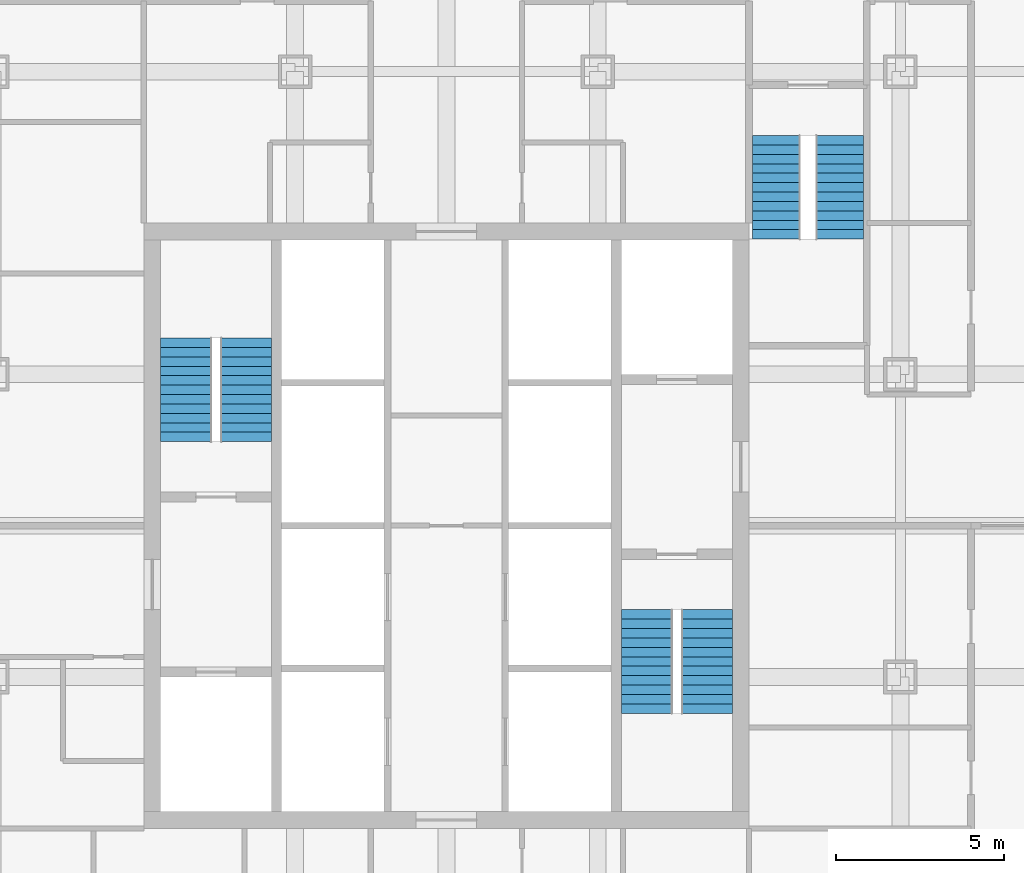
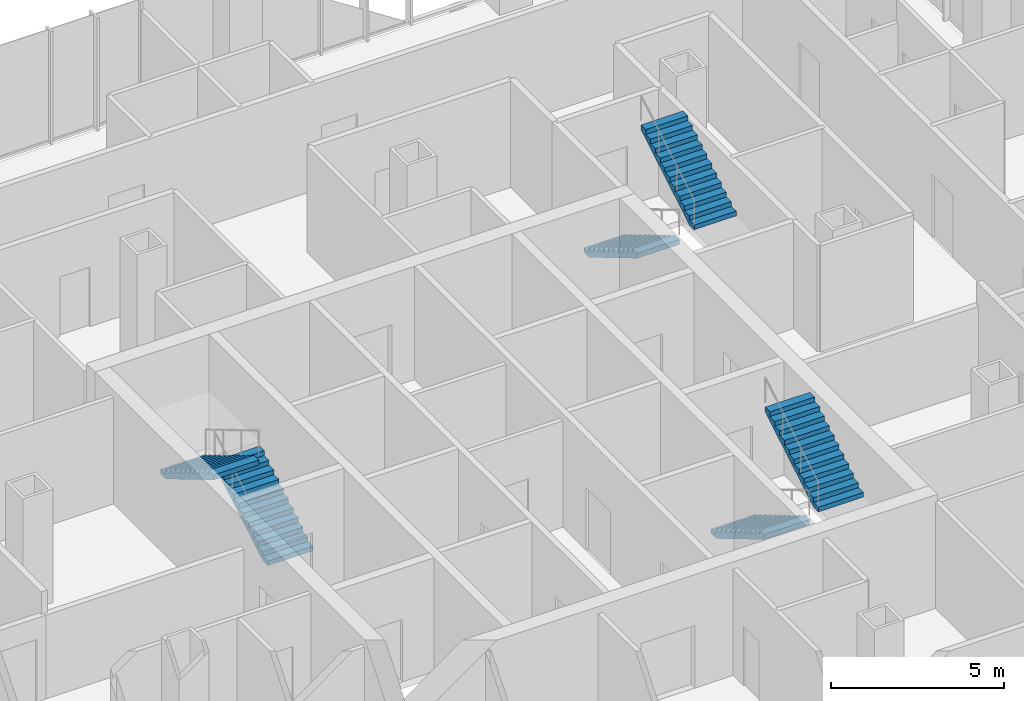
# One storey, part 13 of 14: 6 stair flights, 3 elements without a shape of their own.
"""IFC4 building model written with IfcOpenShell, lengths in metres."""

from ifc_helpers import new_model, si_unit, direction, frame, origin, place, context, subcontext, project, spatial, polyline, outline, extrude, material, type_object, element, aggregate, save


model = new_model("IFC4")

# Units and contexts
model_context = context("Model", 3, precision=1e-05, world=origin(), true_north=direction((0.0, 1.0)))
body_context = subcontext(model_context, "Body", "Model", "MODEL_VIEW")
ifc_project = project(units=[si_unit("LENGTHUNIT", "METRE"), si_unit("AREAUNIT", "SQUARE_METRE"), si_unit("VOLUMEUNIT", "CUBIC_METRE"), si_unit("PLANEANGLEUNIT", "RADIAN"), si_unit("MASSUNIT", "GRAM", prefix="KILO")], contexts=[model_context])

# Site, building, storey
site_placement = place(None, origin())
site = spatial("IfcSite", under=ifc_project, at=site_placement, CompositionType="ELEMENT")
building_placement = place(site_placement, origin())
building = spatial("IfcBuilding", under=site, at=building_placement, Name="Malebo Sky Hospital", CompositionType="ELEMENT")
storey_placement = place(building_placement, frame((0.0, 0.0, 148.0)))
storey = spatial("IfcBuildingStorey", under=building, at=storey_placement, Name="L35", CompositionType="ELEMENT", Elevation=148.0)

# Stair, stair flights
ifc_material = material(Name="Concrete C40/50", Category="concrete")
stair_type_1 = type_object("IfcStairType", Name="HALF-TURN STAIR 1400 R167", PredefinedType="HALF_TURN_STAIR", material=ifc_material)
stair_1_placement = place(storey_placement, origin())
stair_1 = element("IfcStair", 1, at=stair_1_placement, inside=storey, type_object=stair_type_1, Name="Stair S3 L35 type ST1B", PredefinedType="HALF_TURN_STAIR")
stair_flight_type_1 = type_object("IfcStairFlightType", Name="STAIR FLIGHT 1400 R167", PredefinedType="STRAIGHT", material=ifc_material)
stair_flight_1_placement = place(storey_placement, frame((69.800048828125, 73.60009765625, 0.0), z_axis=(0.0, 0.0, 1.0), x_axis=(0.0, -1.0, 0.0)))
stair_flight_1 = element("IfcStairFlight", 2, at=stair_flight_1_placement, type_object=stair_flight_type_1, Name="S3 flight 1 type SF1B", NumberOfRisers=12, NumberOfTreads=11, PredefinedType="STRAIGHT", RiserHeight=0.166666667, TreadLength=0.28, context=body_context, shape_type="SweptSolid", body=[
    extrude(outline(polyline([(0.0, 0.0), (0.0, 0.166748046875), (0.280029296875, 0.166748046875), (0.280029296875, 0.333251953125), (0.56005859375, 0.333251953125), (0.56005859375, 0.5), (0.840087890625, 0.5), (0.840087890625, 0.666748046875), (1.1201171875, 0.666748046875), (1.1201171875, 0.833251953125), (1.39990234375, 0.833251953125), (1.39990234375, 1.0), (1.679931640625, 1.0), (1.679931640625, 1.166748046875), (1.9599609375, 1.166748046875), (1.9599609375, 1.333251953125), (2.239990234375, 1.333251953125), (2.239990234375, 1.5), (2.52001953125, 1.5), (2.52001953125, 1.666748046875), (2.800048828125, 1.666748046875), (2.800048828125, 1.833251953125), (3.080078125, 1.833251953125), (3.080078125, 2.0), (3.080078125, 1.658935546875), (0.29296875, 0.0), (0.0, 0.0)])), frame((0.0, 0.699951171875, 0.0), z_axis=(0.0, -1.0, 0.0), x_axis=(1.0, 0.0, 0.0)), (0.0, 0.0, 1.0), 1.39990234375),
])
stair_flight_2_placement = place(storey_placement, frame((71.699951171875, 70.52001953125, 2.0), z_axis=(0.0, 0.0, 1.0), x_axis=(0.0, 1.0, 0.0)))
stair_flight_2 = element("IfcStairFlight", 3, at=stair_flight_2_placement, type_object=stair_flight_type_1, Name="S3 flight 2 type SF1B", NumberOfRisers=12, NumberOfTreads=11, PredefinedType="STRAIGHT", RiserHeight=0.166666667, TreadLength=0.28, context=body_context, shape_type="SweptSolid", body=[
    extrude(outline(polyline([(0.0, 0.0), (0.0, 0.166748046875), (0.280029296875, 0.166748046875), (0.280029296875, 0.333251953125), (0.56005859375, 0.333251953125), (0.56005859375, 0.5), (0.840087890625, 0.5), (0.840087890625, 0.666748046875), (1.1201171875, 0.666748046875), (1.1201171875, 0.833251953125), (1.39990234375, 0.833251953125), (1.39990234375, 1.0), (1.679931640625, 1.0), (1.679931640625, 1.166748046875), (1.9599609375, 1.166748046875), (1.9599609375, 1.333251953125), (2.239990234375, 1.333251953125), (2.239990234375, 1.5), (2.52001953125, 1.5), (2.52001953125, 1.666748046875), (2.800048828125, 1.666748046875), (2.800048828125, 1.833251953125), (3.080078125, 1.833251953125), (3.080078125, 2.0), (3.080078125, 1.658935546875), (0.29296875, 0.0), (0.0, 0.0)])), frame((0.0, 0.699951171875, 0.0), z_axis=(0.0, -1.0, 0.0), x_axis=(1.0, 0.0, 0.0)), (0.0, 0.0, 1.0), 1.39990234375),
])
aggregate(stair_1, [stair_flight_1, stair_flight_2])

stair_type_2 = type_object("IfcStairType", Name="HALF-TURN STAIR 1500 R167", PredefinedType="HALF_TURN_STAIR", material=ifc_material)
stair_2_placement = place(storey_placement, origin())
stair_2 = element("IfcStair", 4, at=stair_2_placement, inside=storey, type_object=stair_type_2, Name="Stair S1 L35 type ST1", PredefinedType="HALF_TURN_STAIR")
stair_flight_type_2 = type_object("IfcStairFlightType", Name="STAIR FLIGHT 1500 R167", PredefinedType="STRAIGHT", material=ifc_material)
stair_flight_3_placement = place(storey_placement, frame((54.050048828125, 64.5, 0.0), z_axis=(0.0, 0.0, 1.0), x_axis=(0.0, 1.0, 0.0)))
stair_flight_3 = element("IfcStairFlight", 5, at=stair_flight_3_placement, type_object=stair_flight_type_2, Name="S1 flight 1 type SF1", NumberOfRisers=12, NumberOfTreads=11, PredefinedType="STRAIGHT", RiserHeight=0.166666667, TreadLength=0.28, context=body_context, shape_type="SweptSolid", body=[
    extrude(outline(polyline([(0.0, 0.0), (0.0, 0.166748046875), (0.280029296875, 0.166748046875), (0.280029296875, 0.333251953125), (0.56005859375, 0.333251953125), (0.56005859375, 0.5), (0.840087890625, 0.5), (0.840087890625, 0.666748046875), (1.1201171875, 0.666748046875), (1.1201171875, 0.833251953125), (1.39990234375, 0.833251953125), (1.39990234375, 1.0), (1.679931640625, 1.0), (1.679931640625, 1.166748046875), (1.9599609375, 1.166748046875), (1.9599609375, 1.333251953125), (2.239990234375, 1.333251953125), (2.239990234375, 1.5), (2.52001953125, 1.5), (2.52001953125, 1.666748046875), (2.800048828125, 1.666748046875), (2.800048828125, 1.833251953125), (3.080078125, 1.833251953125), (3.080078125, 2.0), (3.080078125, 1.658935546875), (0.29296875, 0.0), (0.0, 0.0)])), frame((0.0, 0.75, 0.0), z_axis=(0.0, -1.0, 0.0), x_axis=(1.0, 0.0, 0.0)), (0.0, 0.0, 1.0), 1.5),
])
stair_flight_4_placement = place(storey_placement, frame((52.25, 67.580078125, 2.0), z_axis=(0.0, 0.0, 1.0), x_axis=(0.0, -1.0, 0.0)))
stair_flight_4 = element("IfcStairFlight", 6, at=stair_flight_4_placement, type_object=stair_flight_type_2, Name="S1 flight 2 type SF1", NumberOfRisers=12, NumberOfTreads=11, PredefinedType="STRAIGHT", RiserHeight=0.166666667, TreadLength=0.28, context=body_context, shape_type="SweptSolid", body=[
    extrude(outline(polyline([(0.0, 0.0), (0.0, 0.166748046875), (0.280029296875, 0.166748046875), (0.280029296875, 0.333251953125), (0.56005859375, 0.333251953125), (0.56005859375, 0.5), (0.840087890625, 0.5), (0.840087890625, 0.666748046875), (1.1201171875, 0.666748046875), (1.1201171875, 0.833251953125), (1.39990234375, 0.833251953125), (1.39990234375, 1.0), (1.679931640625, 1.0), (1.679931640625, 1.166748046875), (1.9599609375, 1.166748046875), (1.9599609375, 1.333251953125), (2.239990234375, 1.333251953125), (2.239990234375, 1.5), (2.52001953125, 1.5), (2.52001953125, 1.666748046875), (2.800048828125, 1.666748046875), (2.800048828125, 1.833251953125), (3.080078125, 1.833251953125), (3.080078125, 2.0), (3.080078125, 1.658935546875), (0.29296875, 0.0), (0.0, 0.0)])), frame((0.0, 0.75, 0.0), z_axis=(0.0, -1.0, 0.0), x_axis=(1.0, 0.0, 0.0)), (0.0, 0.0, 1.0), 1.5),
])
aggregate(stair_2, [stair_flight_3, stair_flight_4])

stair_3_placement = place(storey_placement, origin())
stair_3 = element("IfcStair", 7, at=stair_3_placement, inside=storey, type_object=stair_type_2, Name="Stair S2 L35 type ST1", PredefinedType="HALF_TURN_STAIR")
stair_flight_5_placement = place(storey_placement, frame((65.949951171875, 59.5, 0.0), z_axis=(0.0, 0.0, 1.0), x_axis=(0.0, -1.0, 0.0)))
stair_flight_5 = element("IfcStairFlight", 8, at=stair_flight_5_placement, type_object=stair_flight_type_2, Name="S2 flight 1 type SF1", NumberOfRisers=12, NumberOfTreads=11, PredefinedType="STRAIGHT", RiserHeight=0.166666667, TreadLength=0.28, context=body_context, shape_type="SweptSolid", body=[
    extrude(outline(polyline([(0.0, 0.0), (0.0, 0.166748046875), (0.280029296875, 0.166748046875), (0.280029296875, 0.333251953125), (0.56005859375, 0.333251953125), (0.56005859375, 0.5), (0.840087890625, 0.5), (0.840087890625, 0.666748046875), (1.1201171875, 0.666748046875), (1.1201171875, 0.833251953125), (1.39990234375, 0.833251953125), (1.39990234375, 1.0), (1.679931640625, 1.0), (1.679931640625, 1.166748046875), (1.9599609375, 1.166748046875), (1.9599609375, 1.333251953125), (2.239990234375, 1.333251953125), (2.239990234375, 1.5), (2.52001953125, 1.5), (2.52001953125, 1.666748046875), (2.800048828125, 1.666748046875), (2.800048828125, 1.833251953125), (3.080078125, 1.833251953125), (3.080078125, 2.0), (3.080078125, 1.658935546875), (0.29296875, 0.0), (0.0, 0.0)])), frame((0.0, 0.75, 0.0), z_axis=(0.0, -1.0, 0.0), x_axis=(1.0, 0.0, 0.0)), (0.0, 0.0, 1.0), 1.5),
])
stair_flight_6_placement = place(storey_placement, frame((67.75, 56.419921875, 2.0), z_axis=(0.0, 0.0, 1.0), x_axis=(0.0, 1.0, 0.0)))
stair_flight_6 = element("IfcStairFlight", 9, at=stair_flight_6_placement, type_object=stair_flight_type_2, Name="S2 flight 2 type SF1", NumberOfRisers=12, NumberOfTreads=11, PredefinedType="STRAIGHT", RiserHeight=0.166666667, TreadLength=0.28, context=body_context, shape_type="SweptSolid", body=[
    extrude(outline(polyline([(0.0, 0.0), (0.0, 0.166748046875), (0.280029296875, 0.166748046875), (0.280029296875, 0.333251953125), (0.56005859375, 0.333251953125), (0.56005859375, 0.5), (0.840087890625, 0.5), (0.840087890625, 0.666748046875), (1.1201171875, 0.666748046875), (1.1201171875, 0.833251953125), (1.39990234375, 0.833251953125), (1.39990234375, 1.0), (1.679931640625, 1.0), (1.679931640625, 1.166748046875), (1.9599609375, 1.166748046875), (1.9599609375, 1.333251953125), (2.239990234375, 1.333251953125), (2.239990234375, 1.5), (2.52001953125, 1.5), (2.52001953125, 1.666748046875), (2.800048828125, 1.666748046875), (2.800048828125, 1.833251953125), (3.080078125, 1.833251953125), (3.080078125, 2.0), (3.080078125, 1.658935546875), (0.29296875, 0.0), (0.0, 0.0)])), frame((0.0, 0.75, 0.0), z_axis=(0.0, -1.0, 0.0), x_axis=(1.0, 0.0, 0.0)), (0.0, 0.0, 1.0), 1.5),
])
aggregate(stair_3, [stair_flight_5, stair_flight_6])

save(model, "model.ifc")
